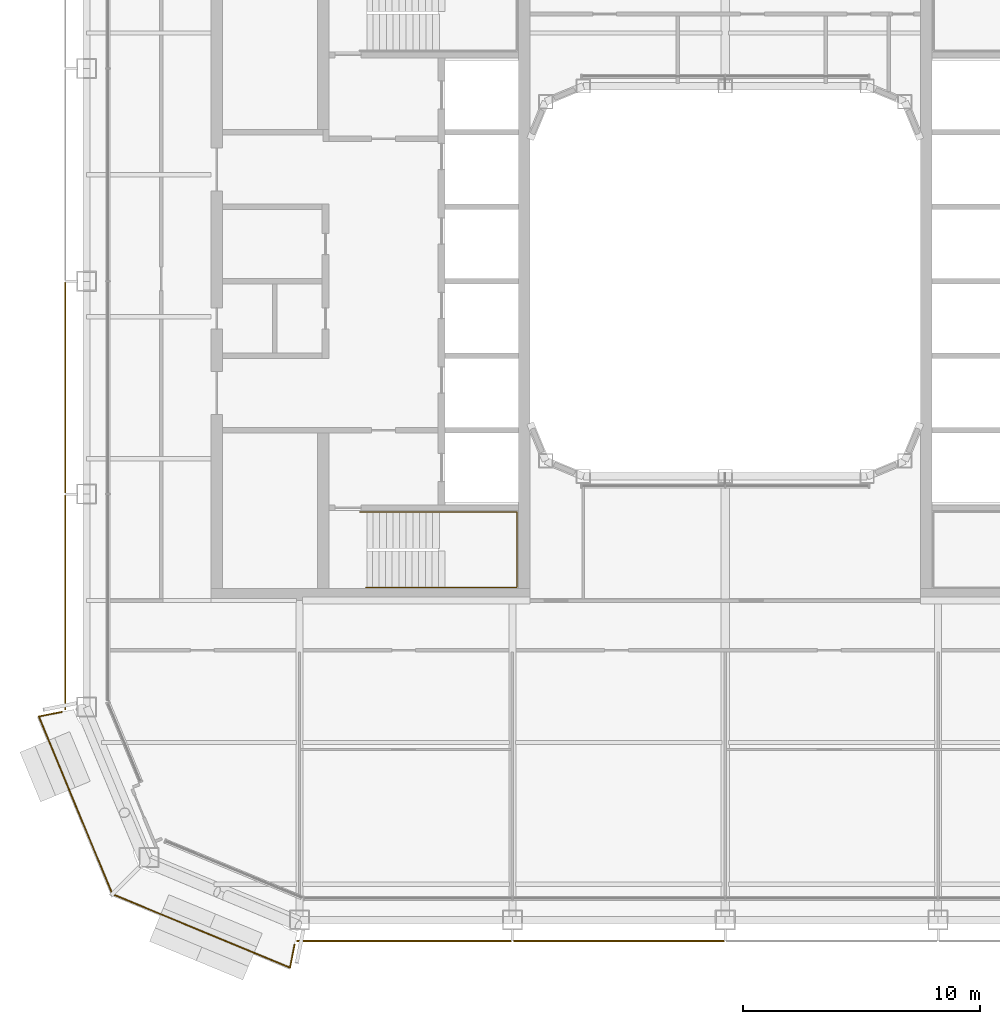
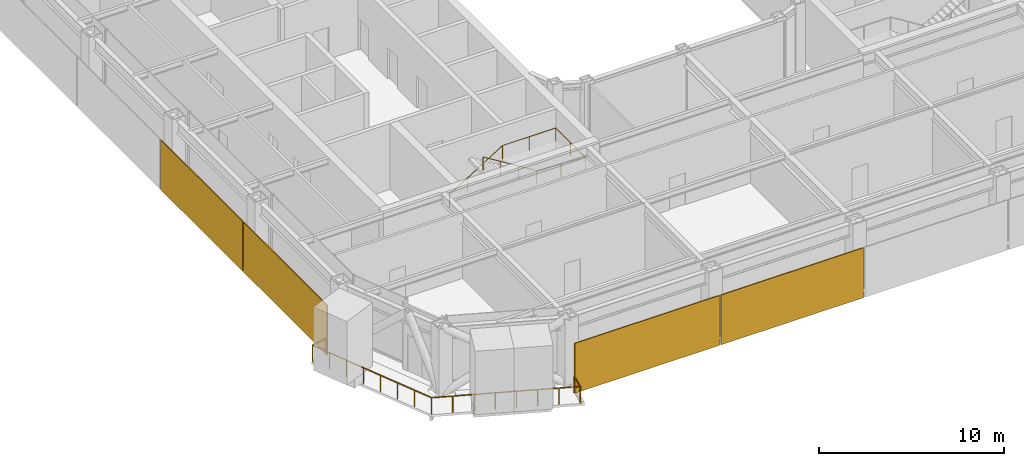
# One storey, part 19 of 23: 4 coverings, 2 railings.
"""IFC4 building model written with IfcOpenShell, lengths in metres."""

import ifcopenshell
import ifcopenshell.guid

model = None  # the IFC model being written
_history = None  # IfcOwnerHistory: only IFC2X3 demands one
_inside = {}  # id of a spatial element -> (the spatial element, [elements in it])
_under = {}  # id of a project, library or spatial element -> (it, [spatial elements below it])
_declared = {}  # id of a project -> (the project, [libraries it declares])
_typed = {}  # id of a type object -> (the type object, [elements of that type])
_made_of = {}  # id of a material, layer set ... -> (it, [elements and type objects made of it])


def new_model(schema):
    """Start an empty IFC model of exactly this schema.

    Asked for "IFC4X3", IfcOpenShell would pick the latest addendum, in which some entities
    have other attributes; the version numbers below select the first issue.
    IFC2X3 requires an IfcOwnerHistory on every rooted entity: one is made here for all.
    """
    global model, _history
    if schema == "IFC4X3":
        model = ifcopenshell.file(schema_version=(4, 3, 0, 0))
    else:
        model = ifcopenshell.file(schema=schema)
    _inside.clear()
    _under.clear()
    _declared.clear()
    _typed.clear()
    _made_of.clear()
    _history = None
    if model.schema == "IFC2X3":
        org = make("IfcOrganization", Name="unknown")
        user = make(
            "IfcPersonAndOrganization",
            ThePerson=make("IfcPerson", FamilyName="unknown"),
            TheOrganization=org,
        )
        app = make(
            "IfcApplication",
            ApplicationDeveloper=org,
            Version="unknown",
            ApplicationFullName="unknown",
            ApplicationIdentifier="unknown",
        )
        _history = make(
            "IfcOwnerHistory",
            OwningUser=user,
            OwningApplication=app,
            ChangeAction="ADDED",
            CreationDate=0,
        )
    return model


def make(cls, **values):
    """One entity of the class cls with the attributes given. An attribute that is None is left unset."""
    return model.create_entity(
        cls, **{name: value for name, value in values.items() if value is not None}
    )


def rooted(cls, **values):
    """An entity with a GlobalId (a new one), such as an element, a storey or a relation."""
    return make(cls, GlobalId=ifcopenshell.guid.new(), OwnerHistory=_history, **values)


def si_unit(unit_type, name, prefix=None):
    """IfcSIUnit, for example si_unit("LENGTHUNIT", "METRE", prefix="MILLI")."""
    return make("IfcSIUnit", UnitType=unit_type, Prefix=prefix, Name=name)


def assignment(units):
    """IfcUnitAssignment: the units of a project."""
    return None if units is None else make("IfcUnitAssignment", Units=units)


def point(xyz):
    """IfcCartesianPoint."""
    return None if xyz is None else make("IfcCartesianPoint", Coordinates=xyz)


def direction(xyz):
    """IfcDirection."""
    return None if xyz is None else make("IfcDirection", DirectionRatios=xyz)


def frame(location, z_axis=None, x_axis=None):
    """IfcAxis2Placement3D, a coordinate frame: its origin and axes. An axis left out is left unset."""
    return make(
        "IfcAxis2Placement3D",
        Location=point(location),
        Axis=direction(z_axis),
        RefDirection=direction(x_axis),
    )


def frame_2d(location, x_axis=None):
    """IfcAxis2Placement2D, a coordinate frame in the plane: its origin and x axis."""
    return make(
        "IfcAxis2Placement2D", Location=point(location), RefDirection=direction(x_axis)
    )


def origin():
    """The frame at (0, 0, 0) with its axes left unset."""
    return frame((0.0, 0.0, 0.0))


def origin_2d():
    """The frame at (0, 0) in the plane with its x axis left unset."""
    return frame_2d((0.0, 0.0))


def place(relative_to, where):
    """IfcLocalPlacement: puts the frame where relative to a parent placement (None: the world)."""
    return make(
        "IfcLocalPlacement", PlacementRelTo=relative_to, RelativePlacement=where
    )


def context(
    kind, dimensions, precision=None, world=None, true_north=None, identifier=None
):
    """IfcGeometricRepresentationContext, for example the 3D "Model" context."""
    return make(
        "IfcGeometricRepresentationContext",
        ContextIdentifier=identifier,
        ContextType=kind,
        CoordinateSpaceDimension=dimensions,
        Precision=precision,
        WorldCoordinateSystem=world,
        TrueNorth=true_north,
    )


def subcontext(parent, identifier, kind, view, scale=None):
    """IfcGeometricRepresentationSubContext, for example "Body" below "Model"."""
    return make(
        "IfcGeometricRepresentationSubContext",
        ContextIdentifier=identifier,
        ContextType=kind,
        ParentContext=parent,
        TargetScale=scale,
        TargetView=view,
    )


def project(units=None, contexts=None):
    """IfcProject with its units and contexts."""
    return rooted(
        "IfcProject",
        Name="project",
        RepresentationContexts=contexts,
        UnitsInContext=assignment(units),
    )


def spatial(cls, under=None, at=None, **own):
    """A site, building, storey or space (cls), placed at a placement, below another one or the project."""
    s = rooted(cls, ObjectPlacement=at, **own)
    if under is not None:
        _under.setdefault(under.id(), (under, []))[1].append(s)
    return s


def profile(cls, at=None, kind="AREA", **sizes):
    """A parametric profile (cls). Its sizes go by their IFC names, for example OverallWidth=200.0."""
    return make(cls, ProfileType=kind, Position=at, **sizes)


def rectangle(**sizes):
    """IfcRectangleProfileDef."""
    return profile("IfcRectangleProfileDef", **sizes)


def circle(**sizes):
    """IfcCircleProfileDef."""
    return profile("IfcCircleProfileDef", **sizes)


def extrude(swept, where, along, depth):
    """IfcExtrudedAreaSolid: the profile swept, set in the frame where, extruded along a direction by depth."""
    return make(
        "IfcExtrudedAreaSolid",
        SweptArea=swept,
        Position=where,
        ExtrudedDirection=direction(along),
        Depth=depth,
    )


def shape(context_of_items, identifier, shape_type, items):
    """IfcShapeRepresentation: the items that make up one representation, for example the "Body"."""
    return make(
        "IfcShapeRepresentation",
        ContextOfItems=context_of_items,
        RepresentationIdentifier=identifier,
        RepresentationType=shape_type,
        Items=items,
    )


def material(Name=None, Category=None):
    """IfcMaterial."""
    return make("IfcMaterial", Name=Name, Category=Category)


def layer(
    of_material, thickness, ventilated=None, Name=None, Category=None, Priority=None
):
    """IfcMaterialLayer: one layer of a wall or slab, of a material (None: an air gap)."""
    return make(
        "IfcMaterialLayer",
        Material=of_material,
        LayerThickness=thickness,
        IsVentilated=ventilated,
        Name=Name,
        Category=Category,
        Priority=Priority,
    )


def layer_set(layers, Name=None):
    """IfcMaterialLayerSet."""
    return make("IfcMaterialLayerSet", MaterialLayers=layers, LayerSetName=Name)


def made_of(thing, what):
    """Note that an element or type object is made of a material, layer set ...; save() writes the relation."""
    if what is not None:
        _made_of.setdefault(what.id(), (what, []))[1].append(thing)
    return thing


def type_object(cls, material=None, **own):
    """A type object (cls), such as IfcWallType, which elements share."""
    return made_of(rooted(cls, **own), material)


def element(
    cls,
    number,
    at=None,
    inside=None,
    cuts=None,
    type_object=None,
    material=None,
    context=None,
    identifier="Body",
    shape_type=None,
    held_by="IfcProductDefinitionShape",
    body=None,
    shapes=None,
    **own,
):
    """One element of the class cls, such as IfcWall. Its Tag is "e" and its number.

    at: its placement. inside: the storey or other place that contains it. cuts: it is an
    opening in that element (IfcRelVoidsElement). A single representation is given by context,
    identifier, shape_type and body (its items); several are given by shapes. held_by: the class
    of the entity that holds the representations. save() writes the other relations.
    """
    e = rooted(cls, Tag="e%d" % number, ObjectPlacement=at, **own)
    if body is not None:
        shapes = [shape(context, identifier, shape_type, body)]
    if shapes is not None:
        e.Representation = make(held_by, Representations=shapes)
    if inside is not None:
        _inside.setdefault(inside.id(), (inside, []))[1].append(e)
    if cuts is not None:
        rooted(
            "IfcRelVoidsElement", RelatingBuildingElement=cuts, RelatedOpeningElement=e
        )
    if type_object is not None:
        _typed.setdefault(type_object.id(), (type_object, []))[1].append(e)
    return made_of(e, material)


def aggregate(whole, parts):
    """IfcRelAggregates: a whole, such as a stair, and the parts it consists of."""
    return rooted("IfcRelAggregates", RelatingObject=whole, RelatedObjects=parts)


def save(model, path):
    """Write the relations noted so far, then the file.

    IfcRelAggregates (storeys below a building ...), IfcRelContainedInSpatialStructure (elements
    in a storey), IfcRelDefinesByType, IfcRelAssociatesMaterial and IfcRelDeclares: one each for
    every whole, place, type object, material and project.
    """
    for whole, parts in _under.values():
        aggregate(whole, parts)
    for where, things in _inside.values():
        rooted(
            "IfcRelContainedInSpatialStructure",
            RelatedElements=things,
            RelatingStructure=where,
        )
    for kind, things in _typed.values():
        rooted("IfcRelDefinesByType", RelatedObjects=things, RelatingType=kind)
    for what, things in _made_of.values():
        rooted("IfcRelAssociatesMaterial", RelatedObjects=things, RelatingMaterial=what)
    for by, libraries in _declared.values():
        rooted("IfcRelDeclares", RelatingContext=by, RelatedDefinitions=libraries)
    model.write(path)


model = new_model("IFC4")

# Units and contexts
model_context = context("Model", 3, precision=1e-05, world=origin(), true_north=direction((0.0, 1.0)))
body_context = subcontext(model_context, "Body", "Model", "MODEL_VIEW")
ifc_project = project(units=[si_unit("LENGTHUNIT", "METRE"), si_unit("AREAUNIT", "SQUARE_METRE"), si_unit("VOLUMEUNIT", "CUBIC_METRE"), si_unit("PLANEANGLEUNIT", "RADIAN"), si_unit("MASSUNIT", "GRAM", prefix="KILO")], contexts=[model_context])

# Site, building, storey
site_placement = place(None, origin())
site = spatial("IfcSite", under=ifc_project, at=site_placement, CompositionType="ELEMENT")
building_placement = place(site_placement, origin())
building = spatial("IfcBuilding", under=site, at=building_placement, Name="Siwar Civic Tower", CompositionType="ELEMENT")
storey_placement = place(building_placement, frame((0.0, 0.0, 197.199951171875)))
storey = spatial("IfcBuildingStorey", under=building, at=storey_placement, Name="L42", CompositionType="ELEMENT", Elevation=197.199951171875)

# Railings
ifc_material_1 = material(Name="Stainless steel", Category="steel")
railing_type_1 = type_object("IfcRailingType", Name="CORE-STAIR-HANDRAIL", PredefinedType="HANDRAIL", material=ifc_material_1)
railing_1_placement = place(storey_placement, frame((-15.449951171875, -9.758056640625, 0.173095703125)))
element("IfcRailing", 1, at=railing_1_placement, inside=storey, type_object=railing_type_1, Name="Stair handrail ST2", PredefinedType="HANDRAIL", context=body_context, shape_type="SweptSolid", body=[
    extrude(circle(Radius=0.02001953125, at=origin_2d()), frame((0.0, 0.0, 0.8798828125), z_axis=(0.847063342986, 0.0, 0.531491950051), x_axis=(0.0, 1.0, 0.0)), (0.0, 0.0, 1.0), 3.90771484375),
    extrude(circle(Radius=0.02001953125, at=origin_2d()), frame((3.31005859375, 0.0, 2.956787109375), z_axis=(1.0, 0.0, 0.0), x_axis=(0.0, 1.0, 0.0)), (0.0, 0.0, 1.0), 3.331787109375),
    extrude(circle(Radius=0.02001953125, at=origin_2d()), frame((6.641845703125, 0.0, 2.956787109375), z_axis=(0.0, -1.0, 0.0), x_axis=(1.0, 0.0, 0.0)), (0.0, 0.0, 1.0), 3.183837890625),
    extrude(circle(Radius=0.02001953125, at=origin_2d()), frame((6.641845703125, -3.183837890625, 2.956787109375), z_axis=(-0.99837434197, 0.0, 0.056997134106), x_axis=(0.0, -1.0, 0.0)), (0.0, 0.0, 1.0), 3.036865234375),
    extrude(circle(Radius=0.02001953125, at=origin_2d()), frame((3.60986328125, -3.183837890625, 3.1298828125), z_axis=(-0.850606129759, 0.0, 0.525803396734), x_axis=(0.0, -1.0, 0.0)), (0.0, 0.0, 1.0), 3.949951171875),
    extrude(circle(Radius=0.02001953125, at=origin_2d()), origin(), (0.0, 0.0, 1.0), 0.85986328125),
    extrude(circle(Radius=0.02001953125, at=origin_2d()), frame((1.103271484375, 0.0, 0.6923828125)), (0.0, 0.0, 1.0), 0.85986328125),
    extrude(circle(Radius=0.02001953125, at=origin_2d()), frame((2.206787109375, 0.0, 1.384521484375)), (0.0, 0.0, 1.0), 0.85986328125),
    extrude(circle(Radius=0.02001953125, at=origin_2d()), frame((3.31005859375, 0.0, 2.076904296875)), (0.0, 0.0, 1.0), 0.85986328125),
    extrude(circle(Radius=0.02001953125, at=origin_2d()), frame((4.97607421875, 0.0, 2.076904296875)), (0.0, 0.0, 1.0), 0.85986328125),
    extrude(circle(Radius=0.02001953125, at=origin_2d()), frame((6.641845703125, 0.0, 2.076904296875)), (0.0, 0.0, 1.0), 0.85986328125),
    extrude(circle(Radius=0.02001953125, at=origin_2d()), frame((6.641845703125, -1.591796875, 2.076904296875)), (0.0, 0.0, 1.0), 0.85986328125),
    extrude(circle(Radius=0.02001953125, at=origin_2d()), frame((6.641845703125, -3.183837890625, 2.076904296875)), (0.0, 0.0, 1.0), 0.85986328125),
    extrude(circle(Radius=0.02001953125, at=origin_2d()), frame((5.1259765625, -3.183837890625, 2.16357421875)), (0.0, 0.0, 1.0), 0.85986328125),
    extrude(circle(Radius=0.02001953125, at=origin_2d()), frame((3.60986328125, -3.183837890625, 2.25)), (0.0, 0.0, 1.0), 0.85986328125),
    extrude(circle(Radius=0.02001953125, at=origin_2d()), frame((2.489990234375, -3.183837890625, 2.9423828125)), (0.0, 0.0, 1.0), 0.85986328125),
    extrude(circle(Radius=0.02001953125, at=origin_2d()), frame((1.369873046875, -3.183837890625, 3.634521484375)), (0.0, 0.0, 1.0), 0.85986328125),
    extrude(circle(Radius=0.02001953125, at=origin_2d()), frame((0.25, -3.183837890625, 4.326904296875)), (0.0, 0.0, 1.0), 0.85986328125),
])
ifc_material_2 = material(Name="Stainless steel 316", Category="steel")
railing_type_2 = type_object("IfcRailingType", Name="ENV-GUARD", PredefinedType="GUARDRAIL", material=ifc_material_2)
railing_2_placement = place(storey_placement, frame((-28.047119140625, -18.208251953125, 0.0)))
element("IfcRailing", 2, at=railing_2_placement, inside=storey, type_object=railing_type_2, Name="Balcony guard SW", PredefinedType="GUARDRAIL", context=body_context, shape_type="SweptSolid", body=[
    extrude(circle(Radius=0.02392578125, at=origin_2d()), frame((0.0, 0.0, 1.076171875), z_axis=(-0.980778661911, -0.195123592472, 0.0), x_axis=(0.195123592472, -0.980778661911, 0.0)), (0.0, 0.0, 1.0), 0.993408203125),
    extrude(circle(Radius=0.02392578125, at=origin_2d()), frame((-0.974365234375, -0.19384765625, 1.076171875), z_axis=(0.382176720888, -0.924089256518, 0.0), x_axis=(0.924089256518, 0.382176720888, 0.0)), (0.0, 0.0, 1.0), 8.129638671875),
    extrude(circle(Radius=0.02392578125, at=origin_2d()), frame((2.132568359375, -7.706298828125, 1.076171875), z_axis=(0.924089256518, -0.382176720888, 0.0), x_axis=(0.382176720888, 0.924089256518, 0.0)), (0.0, 0.0, 1.0), 8.129638671875),
    extrude(circle(Radius=0.02392578125, at=origin_2d()), frame((9.64501953125, -10.813232421875, 1.076171875), z_axis=(0.195123592472, 0.980778661911, 0.0), x_axis=(-0.980778661911, 0.195123592472, 0.0)), (0.0, 0.0, 1.0), 0.993408203125),
    extrude(circle(Radius=0.02099609375, at=origin_2d()), origin(), (0.0, 0.0, 1.0), 1.052001953125),
    extrude(circle(Radius=0.02099609375, at=origin_2d()), frame((-0.974365234375, -0.19384765625, 0.0)), (0.0, 0.0, 1.0), 1.052001953125),
    extrude(circle(Radius=0.02099609375, at=origin_2d()), frame((-0.530517578125, -1.26708984375, 0.0)), (0.0, 0.0, 1.0), 1.052001953125),
    extrude(circle(Radius=0.02099609375, at=origin_2d()), frame((-0.086669921875, -2.34033203125, 0.0)), (0.0, 0.0, 1.0), 1.052001953125),
    extrude(circle(Radius=0.02099609375, at=origin_2d()), frame((0.357177734375, -3.41357421875, 0.0)), (0.0, 0.0, 1.0), 1.052001953125),
    extrude(circle(Radius=0.02099609375, at=origin_2d()), frame((0.801025390625, -4.486572265625, 0.0)), (0.0, 0.0, 1.0), 1.052001953125),
    extrude(circle(Radius=0.02099609375, at=origin_2d()), frame((1.244873046875, -5.559814453125, 0.0)), (0.0, 0.0, 1.0), 1.052001953125),
    extrude(circle(Radius=0.02099609375, at=origin_2d()), frame((1.688720703125, -6.633056640625, 0.0)), (0.0, 0.0, 1.0), 1.052001953125),
    extrude(circle(Radius=0.02099609375, at=origin_2d()), frame((2.132568359375, -7.706298828125, 0.0)), (0.0, 0.0, 1.0), 1.052001953125),
    extrude(circle(Radius=0.02099609375, at=origin_2d()), frame((3.205810546875, -8.150146484375, 0.0)), (0.0, 0.0, 1.0), 1.052001953125),
    extrude(circle(Radius=0.02099609375, at=origin_2d()), frame((4.279052734375, -8.593994140625, 0.0)), (0.0, 0.0, 1.0), 1.052001953125),
    extrude(circle(Radius=0.02099609375, at=origin_2d()), frame((5.352294921875, -9.037841796875, 0.0)), (0.0, 0.0, 1.0), 1.052001953125),
    extrude(circle(Radius=0.02099609375, at=origin_2d()), frame((6.42529296875, -9.481689453125, 0.0)), (0.0, 0.0, 1.0), 1.052001953125),
    extrude(circle(Radius=0.02099609375, at=origin_2d()), frame((7.49853515625, -9.925537109375, 0.0)), (0.0, 0.0, 1.0), 1.052001953125),
    extrude(circle(Radius=0.02099609375, at=origin_2d()), frame((8.57177734375, -10.369384765625, 0.0)), (0.0, 0.0, 1.0), 1.052001953125),
    extrude(circle(Radius=0.02099609375, at=origin_2d()), frame((9.64501953125, -10.813232421875, 0.0)), (0.0, 0.0, 1.0), 1.052001953125),
    extrude(circle(Radius=0.02099609375, at=origin_2d()), frame((9.8388671875, -9.8388671875, 0.0)), (0.0, 0.0, 1.0), 1.052001953125),
])

# Coverings
ifc_material_3 = material(Name="Perforated aluminium cassette, pale metal", Category="aluminium")
ifc_layer_1 = layer(ifc_material_3, 0.050048828125)
ifc_layer_set_1 = layer_set([ifc_layer_1], Name="Perforated aluminium cassette, pale metal")
covering_type_1 = type_object("IfcCoveringType", Name="ENV-OUTER SKIN OS-3", PredefinedType="CLADDING", material=ifc_layer_set_1)
covering_1_placement = place(storey_placement, frame((-27.89990234375, -4.5, -0.14990234375), z_axis=(0.0, 0.0, 1.0), x_axis=(0.0, -1.0, 0.0)))
element("IfcCovering", 3, at=covering_1_placement, inside=storey, type_object=covering_type_1, Name="OUTER SKIN OS-3 W 3", PredefinedType="CLADDING", context=body_context, shape_type="SweptSolid", body=[
    extrude(rectangle(XDim=8.89990234375, YDim=0.050048828125, at=origin_2d()), origin(), (0.0, 0.0, 1.0), 3.300048828125),
])
covering_2_placement = place(storey_placement, frame((-27.89990234375, -13.57958984375, -0.14990234375), z_axis=(0.0, 0.0, 1.0), x_axis=(0.0, -1.0, 0.0)))
element("IfcCovering", 4, at=covering_2_placement, inside=storey, type_object=covering_type_1, Name="OUTER SKIN OS-3 W 4", PredefinedType="CLADDING", context=body_context, shape_type="SweptSolid", body=[
    extrude(rectangle(XDim=9.05908203125, YDim=0.050048828125, at=origin_2d()), origin(), (0.0, 0.0, 1.0), 3.300048828125),
])
ifc_material_4 = material(Name="Perforated aluminium cassette, pale metal", Category="aluminium")
ifc_layer_2 = layer(ifc_material_4, 0.054931640625)
ifc_layer_set_2 = layer_set([ifc_layer_2], Name="Perforated aluminium cassette, pale metal")
covering_type_2 = type_object("IfcCoveringType", Name="ENV-OUTER SKIN OS-4", PredefinedType="CLADDING", material=ifc_layer_set_2)
covering_3_placement = place(storey_placement, frame((-13.57958984375, -27.89990234375, -0.14990234375), z_axis=(0.0, 0.0, 1.0), x_axis=(1.0, 0.0, 0.0)))
element("IfcCovering", 5, at=covering_3_placement, inside=storey, type_object=covering_type_2, Name="OUTER SKIN OS-4 S 1", PredefinedType="CLADDING", context=body_context, shape_type="SweptSolid", body=[
    extrude(rectangle(XDim=9.05908203125, YDim=0.054931640625, at=origin_2d()), origin(), (0.0, 0.0, 1.0), 3.300048828125),
])
covering_4_placement = place(storey_placement, frame((-4.5, -27.89990234375, -0.14990234375), z_axis=(0.0, 0.0, 1.0), x_axis=(1.0, 0.0, 0.0)))
element("IfcCovering", 6, at=covering_4_placement, inside=storey, type_object=covering_type_2, Name="OUTER SKIN OS-4 S 2", PredefinedType="CLADDING", context=body_context, shape_type="SweptSolid", body=[
    extrude(rectangle(XDim=8.89990234375, YDim=0.054931640625, at=origin_2d()), origin(), (0.0, 0.0, 1.0), 3.300048828125),
])

save(model, "model.ifc")
